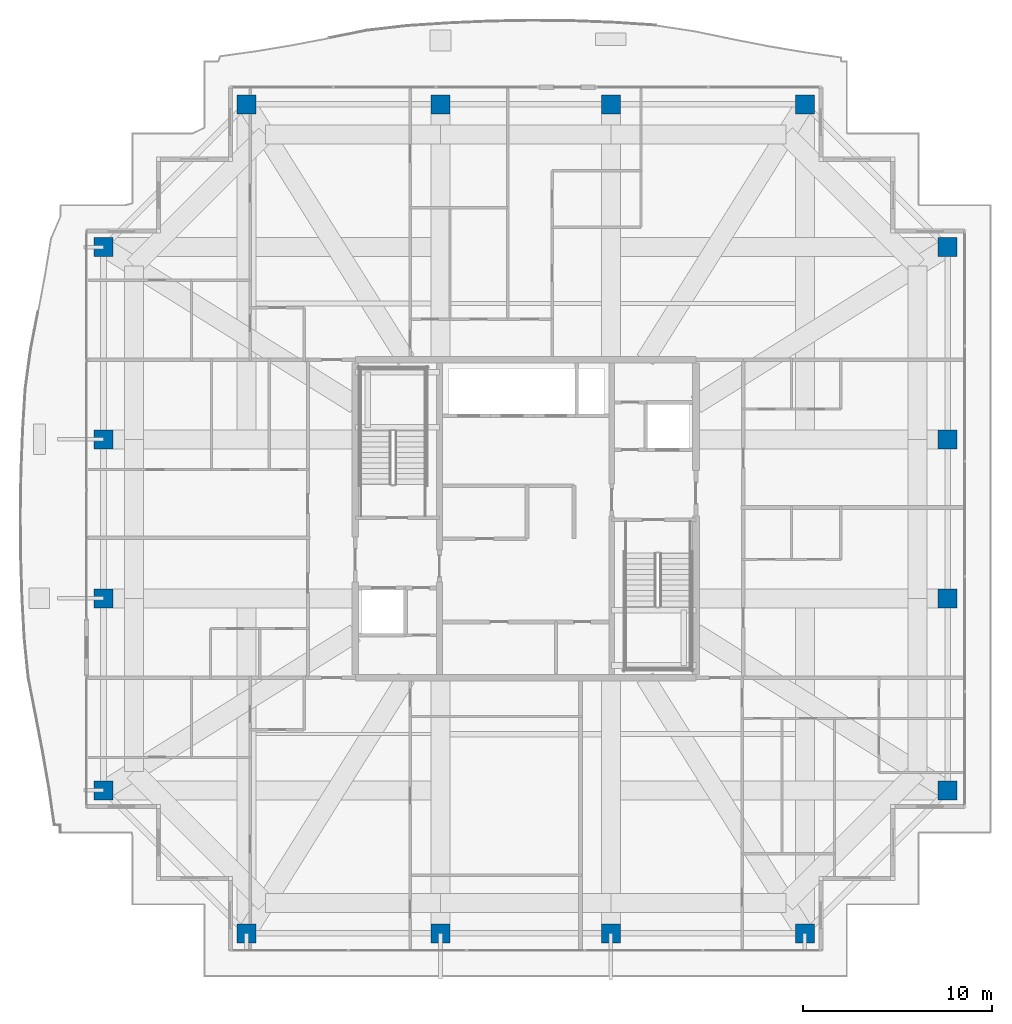
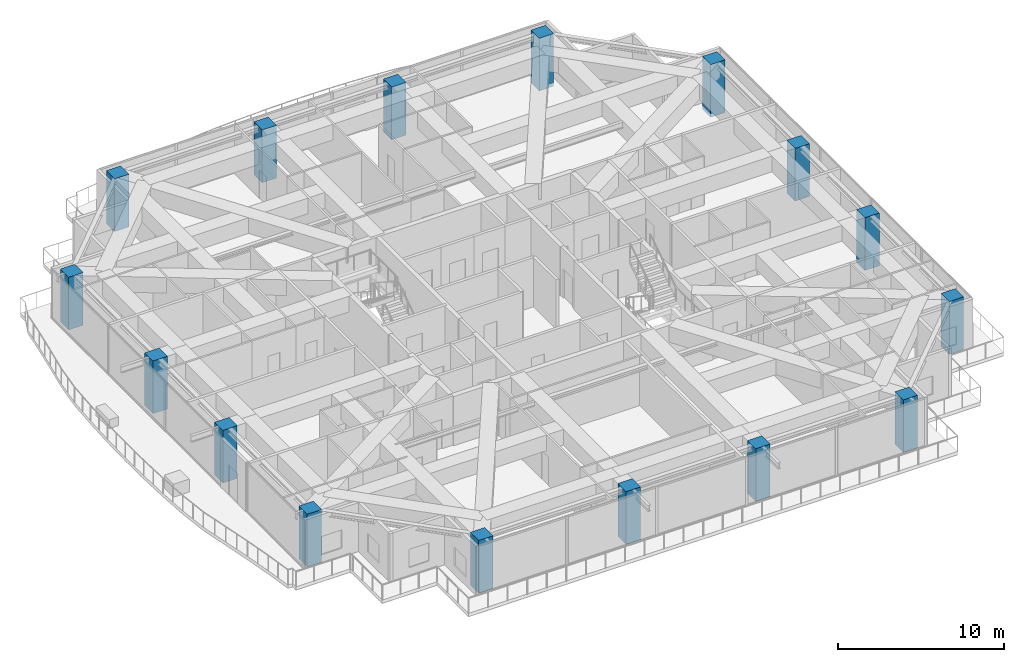
# One storey, part 1 of 40: 16 columns.
"""IFC4 building model written with IfcOpenShell, lengths in metres."""

from ifc_helpers import new_model, si_unit, direction, frame, origin, origin_2d, place, context, subcontext, project, spatial, rectangle, extrude, source, transform, mapped, material, material_profile, profile_set, type_object, element, save


model = new_model("IFC4")

# Units and contexts
model_context = context("Model", 3, precision=1e-05, world=origin(), true_north=direction((0.0, 1.0)))
body_context = subcontext(model_context, "Body", "Model", "MODEL_VIEW")
ifc_project = project(units=[si_unit("LENGTHUNIT", "METRE"), si_unit("AREAUNIT", "SQUARE_METRE"), si_unit("VOLUMEUNIT", "CUBIC_METRE"), si_unit("PLANEANGLEUNIT", "RADIAN"), si_unit("MASSUNIT", "GRAM", prefix="KILO")], contexts=[model_context])

# Site, building, storey
site_placement = place(None, origin())
site = spatial("IfcSite", under=ifc_project, at=site_placement, CompositionType="ELEMENT")
building_placement = place(site_placement, origin())
building = spatial("IfcBuilding", under=site, at=building_placement, Name="Serunith Strait Residences", CompositionType="ELEMENT")
storey_placement = place(building_placement, frame((0.0, 0.0, 333.949951171875)))
storey = spatial("IfcBuildingStorey", under=building, at=storey_placement, Name="L83", CompositionType="ELEMENT", Elevation=333.949951171875)

# Columns
ifc_material = material(Name="Concrete C70/85", Category="concrete")
ifc_material_profile = material_profile(ifc_material, rectangle(XDim=1.0, YDim=1.0, at=origin_2d()), Name="RC 1000x1000")
ifc_profile_set = profile_set([ifc_material_profile], Name="Concrete C70/85")
column_type = type_object("IfcColumnType", Name="COL-RC-1000", PredefinedType="COLUMN", material=ifc_profile_set)
shared_shape = source(origin(), body_context, "Body", "SweptSolid", [
    extrude(rectangle(XDim=1.0, YDim=1.0, at=origin_2d()), origin(), (0.0, 0.0, 1.0), 3.8701171875),
])
for number, where, z_axis, x_axis, name in (
    (1, (17.64990234375, 3.300048828125, -0.260009765625), (0.0, 0.0, 1.0), (1.0, 0.0, 0.0), "L83 Tower Mega-Column TC-S1"),
    (2, (27.89990234375, 3.300048828125, -0.260009765625), (0.0, 0.0, 1.0), (1.0, 0.0, 0.0), "L83 Tower Mega-Column TC-S2"),
    (3, (36.89990234375, 3.300048828125, -0.260009765625), (0.0, 0.0, 1.0), (1.0, 0.0, 0.0), "L83 Tower Mega-Column TC-S3"),
    (4, (47.14990234375, 3.300048828125, -0.260009765625), (0.0, 0.0, 1.0), (1.0, 0.0, 0.0), "L83 Tower Mega-Column TC-S4"),
    (5, (17.64990234375, 47.10009765625, -0.260009765625), (0.0, 0.0, 1.0), (1.0, 0.0, 0.0), "L83 Tower Mega-Column TC-N1"),
    (6, (27.89990234375, 47.10009765625, -0.260009765625), (0.0, 0.0, 1.0), (1.0, 0.0, 0.0), "L83 Tower Mega-Column TC-N2"),
    (7, (36.89990234375, 47.10009765625, -0.260009765625), (0.0, 0.0, 1.0), (1.0, 0.0, 0.0), "L83 Tower Mega-Column TC-N3"),
    (8, (47.14990234375, 47.10009765625, -0.260009765625), (0.0, 0.0, 1.0), (1.0, 0.0, 0.0), "L83 Tower Mega-Column TC-N4"),
    (9, (54.699951171875, 10.85009765625, -0.260009765625), (0.0, 0.0, 1.0), (1.0, 0.0, 0.0), "L83 Tower Mega-Column TC-E1"),
    (10, (54.699951171875, 21.0, -0.260009765625), (0.0, 0.0, 1.0), (1.0, 0.0, 0.0), "L83 Tower Mega-Column TC-E2"),
    (11, (54.699951171875, 29.39990234375, -0.260009765625), (0.0, 0.0, 1.0), (1.0, 0.0, 0.0), "L83 Tower Mega-Column TC-E3"),
    (12, (54.699951171875, 39.550048828125, -0.260009765625), (0.0, 0.0, 1.0), (1.0, 0.0, 0.0), "L83 Tower Mega-Column TC-E4"),
    (13, (10.10009765625, 10.85009765625, -0.260009765625), (0.0, 0.0, 1.0), (1.0, 0.0, 0.0), "L83 Tower Mega-Column TC-W1"),
    (14, (10.10009765625, 21.0, -0.260009765625), (0.0, 0.0, 1.0), (1.0, 0.0, 0.0), "L83 Tower Mega-Column TC-W2"),
    (15, (10.10009765625, 29.39990234375, -0.260009765625), (0.0, 0.0, 1.0), (1.0, 0.0, 0.0), "L83 Tower Mega-Column TC-W3"),
    (16, (10.10009765625, 39.550048828125, -0.260009765625), (0.0, 0.0, 1.0), (1.0, 0.0, 0.0), "L83 Tower Mega-Column TC-W4"),
):
    element("IfcColumn", number, at=place(storey_placement, frame(where, z_axis=z_axis, x_axis=x_axis)), inside=storey, type_object=column_type, Name=name, PredefinedType="COLUMN", context=body_context, shape_type="MappedRepresentation", body=[
        mapped(shared_shape, transform((0.0, 0.0, 0.0), scale=1.0)),
    ])

save(model, "model.ifc")
